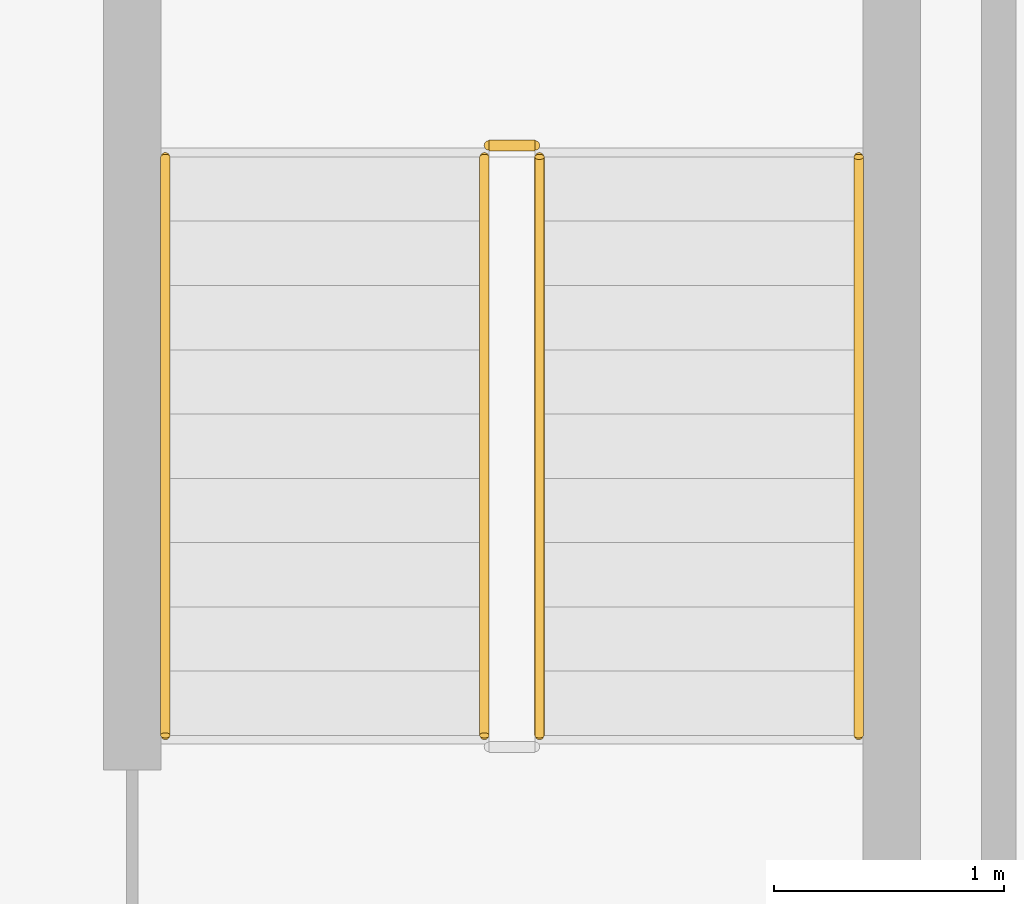
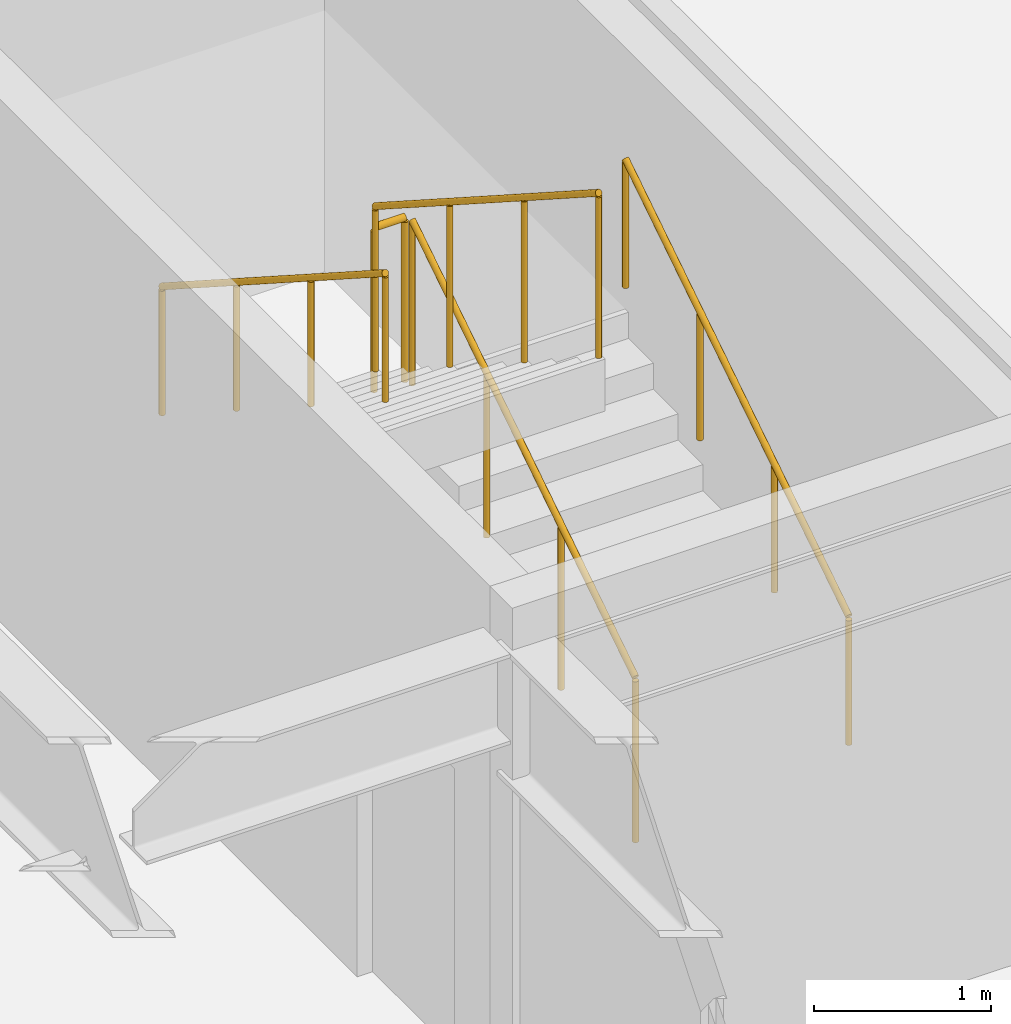
# One storey, part 33 of 36: 5 railings.
"""IFC4 building model written with IfcOpenShell, lengths in metres."""

from ifc_helpers import new_model, si_unit, direction, frame, origin, origin_2d, place, context, subcontext, project, spatial, circle, extrude, material, type_object, element, save


model = new_model("IFC4")

# Units and contexts
model_context = context("Model", 3, precision=1e-05, world=origin(), true_north=direction((0.0, 1.0)))
body_context = subcontext(model_context, "Body", "Model", "MODEL_VIEW")
ifc_project = project(units=[si_unit("LENGTHUNIT", "METRE"), si_unit("AREAUNIT", "SQUARE_METRE"), si_unit("VOLUMEUNIT", "CUBIC_METRE"), si_unit("PLANEANGLEUNIT", "RADIAN"), si_unit("MASSUNIT", "GRAM", prefix="KILO")], contexts=[model_context])

# Site, building, storey
site_placement = place(None, origin())
site = spatial("IfcSite", under=ifc_project, at=site_placement, CompositionType="ELEMENT")
building_placement = place(site_placement, origin())
building = spatial("IfcBuilding", under=site, at=building_placement, Name="Korimba Cascade Residences", CompositionType="ELEMENT")
storey_placement = place(building_placement, frame((0.0, 0.0, 139.300048828125)))
storey = spatial("IfcBuildingStorey", under=building, at=storey_placement, Name="L40", CompositionType="ELEMENT", Elevation=139.300048828125)

# Railings
ifc_material_1 = material(Name="Painted Steel Stairwell Guardrail", Category="steel")
railing_type_1 = type_object("IfcRailingType", Name="RLG-ST-GD1150", PredefinedType="GUARDRAIL", material=ifc_material_1)
railing_1_placement = place(storey_placement, frame((98.14990234375, 39.449951171875, 0.179931640625)))
element("IfcRailing", 1, at=railing_1_placement, inside=storey, type_object=railing_type_1, Name="L40 ST-BR1 stair guard 1", PredefinedType="GUARDRAIL", context=body_context, shape_type="SweptSolid", body=[
    extrude(circle(Radius=0.02099609375, at=origin_2d()), frame((0.0, 0.0, 1.12890625), z_axis=(0.0, 0.841162588446, 0.540782303519), x_axis=(-1.0, 0.0, 0.0)), (0.0, 0.0, 1.0), 2.995849609375),
    extrude(circle(Radius=0.01904296875, at=origin_2d()), origin(), (0.0, 0.0, 1.0), 1.10791015625),
    extrude(circle(Radius=0.01904296875, at=origin_2d()), frame((0.0, 0.840087890625, 0.5400390625)), (0.0, 0.0, 1.0), 1.10791015625),
    extrude(circle(Radius=0.01904296875, at=origin_2d()), frame((0.0, 1.679931640625, 1.080078125)), (0.0, 0.0, 1.0), 1.10791015625),
    extrude(circle(Radius=0.01904296875, at=origin_2d()), frame((0.0, 2.52001953125, 1.6201171875)), (0.0, 0.0, 1.0), 1.10791015625),
])
railing_2_placement = place(storey_placement, frame((98.1298828125, 42.02001953125, 1.800048828125)))
element("IfcRailing", 2, at=railing_2_placement, inside=storey, type_object=railing_type_1, Name="L40 ST-BR1 stair guard 2", PredefinedType="GUARDRAIL", context=body_context, shape_type="SweptSolid", body=[
    extrude(circle(Radius=0.02392578125, at=origin_2d()), frame((0.0, 0.0, 1.1259765625), z_axis=(-1.0, 0.0, 0.0), x_axis=(0.0, -1.0, 0.0)), (0.0, 0.0, 1.0), 0.199951171875),
    extrude(circle(Radius=0.02099609375, at=origin_2d()), origin(), (0.0, 0.0, 1.0), 1.101806640625),
    extrude(circle(Radius=0.02099609375, at=origin_2d()), frame((-0.199951171875, 0.0, 0.0)), (0.0, 0.0, 1.0), 1.101806640625),
])
railing_3_placement = place(storey_placement, frame((97.909912109375, 41.969970703125, 1.97998046875)))
element("IfcRailing", 3, at=railing_3_placement, inside=storey, type_object=railing_type_1, Name="L40 ST-BR1 stair guard 3", PredefinedType="GUARDRAIL", context=body_context, shape_type="SweptSolid", body=[
    extrude(circle(Radius=0.02099609375, at=origin_2d()), frame((0.0, 0.0, 1.12890625), z_axis=(0.0, -0.841199657755, 0.540724639528), x_axis=(1.0, 0.0, 0.0)), (0.0, 0.0, 1.0), 2.995849609375),
    extrude(circle(Radius=0.01904296875, at=origin_2d()), origin(), (0.0, 0.0, 1.0), 1.10791015625),
    extrude(circle(Radius=0.01904296875, at=origin_2d()), frame((0.0, -0.840087890625, 0.5400390625)), (0.0, 0.0, 1.0), 1.10791015625),
    extrude(circle(Radius=0.01904296875, at=origin_2d()), frame((0.0, -1.679931640625, 1.079833984375)), (0.0, 0.0, 1.0), 1.10791015625),
    extrude(circle(Radius=0.01904296875, at=origin_2d()), frame((0.0, -2.52001953125, 1.619873046875)), (0.0, 0.0, 1.0), 1.10791015625),
])
ifc_material_2 = material(Name="Brushed Stainless Steel Handrail", Category="steel")
railing_type_2 = type_object("IfcRailingType", Name="RLG-ST-HR900", PredefinedType="HANDRAIL", material=ifc_material_2)
railing_4_placement = place(storey_placement, frame((99.5400390625, 39.449951171875, 0.36376953125)))
element("IfcRailing", 4, at=railing_4_placement, inside=storey, type_object=railing_type_2, Name="L40 ST-BR1 stair handrail 1", PredefinedType="HANDRAIL", context=body_context, shape_type="SweptSolid", body=[
    extrude(circle(Radius=0.02099609375, at=origin_2d()), frame((0.0, 0.0, 0.87890625), z_axis=(0.0, 0.841199657755, 0.540724639528), x_axis=(-1.0, 0.0, 0.0)), (0.0, 0.0, 1.0), 2.995849609375),
    extrude(circle(Radius=0.01904296875, at=origin_2d()), origin(), (0.0, 0.0, 1.0), 0.85791015625),
    extrude(circle(Radius=0.01904296875, at=origin_2d()), frame((0.0, 0.840087890625, 0.5400390625)), (0.0, 0.0, 1.0), 0.85791015625),
    extrude(circle(Radius=0.01904296875, at=origin_2d()), frame((0.0, 1.679931640625, 1.079833984375)), (0.0, 0.0, 1.0), 0.85791015625),
    extrude(circle(Radius=0.01904296875, at=origin_2d()), frame((0.0, 2.52001953125, 1.619873046875)), (0.0, 0.0, 1.0), 0.85791015625),
])
railing_5_placement = place(storey_placement, frame((96.52001953125, 41.969970703125, 2.163818359375)))
element("IfcRailing", 5, at=railing_5_placement, inside=storey, type_object=railing_type_2, Name="L40 ST-BR1 stair handrail 2", PredefinedType="HANDRAIL", context=body_context, shape_type="SweptSolid", body=[
    extrude(circle(Radius=0.02099609375, at=origin_2d()), frame((0.0, 0.0, 0.87890625), z_axis=(0.0, -0.841199657755, 0.540724639528), x_axis=(1.0, 0.0, 0.0)), (0.0, 0.0, 1.0), 2.995849609375),
    extrude(circle(Radius=0.01904296875, at=origin_2d()), origin(), (0.0, 0.0, 1.0), 0.85791015625),
    extrude(circle(Radius=0.01904296875, at=origin_2d()), frame((0.0, -0.840087890625, 0.5400390625)), (0.0, 0.0, 1.0), 0.85791015625),
    extrude(circle(Radius=0.01904296875, at=origin_2d()), frame((0.0, -1.679931640625, 1.079833984375)), (0.0, 0.0, 1.0), 0.85791015625),
    extrude(circle(Radius=0.01904296875, at=origin_2d()), frame((0.0, -2.52001953125, 1.619873046875)), (0.0, 0.0, 1.0), 0.85791015625),
])

save(model, "model.ifc")
